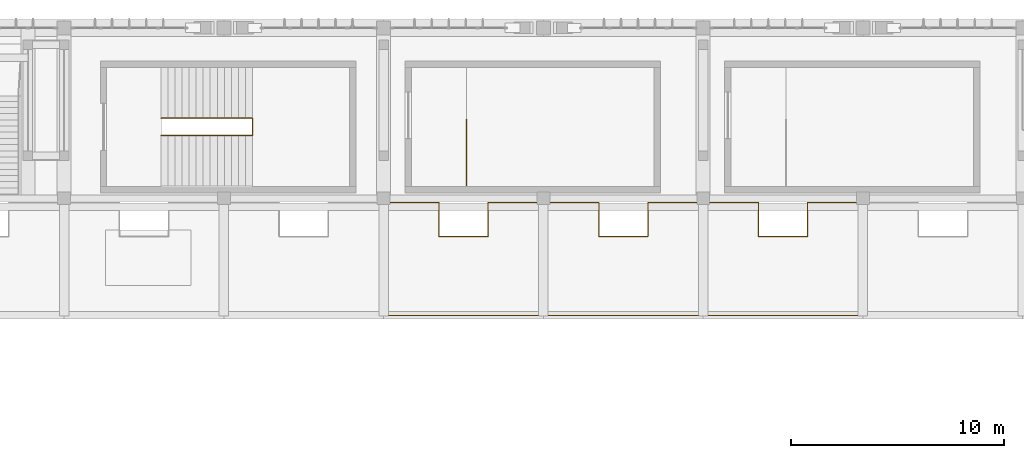
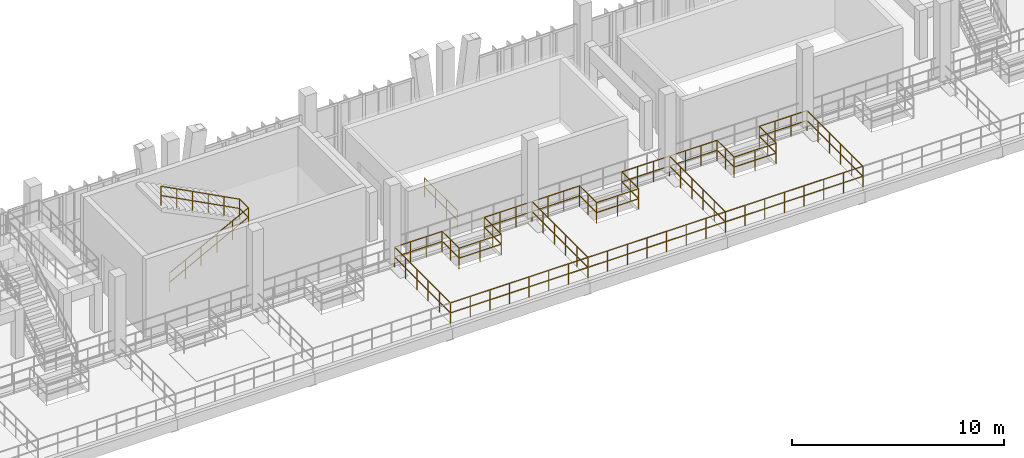
# One storey, part 69 of 81: 5 railings.
"""IFC4 building model written with IfcOpenShell, lengths in metres."""

from ifc_helpers import new_model, si_unit, direction, frame, origin, origin_2d, place, context, subcontext, project, spatial, circle, extrude, material, type_object, element, save


model = new_model("IFC4")

# Units and contexts
model_context = context("Model", 3, precision=1e-05, world=origin(), true_north=direction((0.0, 1.0)))
body_context = subcontext(model_context, "Body", "Model", "MODEL_VIEW")
ifc_project = project(units=[si_unit("LENGTHUNIT", "METRE"), si_unit("AREAUNIT", "SQUARE_METRE"), si_unit("VOLUMEUNIT", "CUBIC_METRE"), si_unit("PLANEANGLEUNIT", "RADIAN"), si_unit("MASSUNIT", "GRAM", prefix="KILO")], contexts=[model_context])

# Site, building, storey
site_placement = place(None, origin())
site = spatial("IfcSite", under=ifc_project, at=site_placement, CompositionType="ELEMENT")
building_placement = place(site_placement, origin())
building = spatial("IfcBuilding", under=site, at=building_placement, Name="Vourika Railside Aquatics Centre", CompositionType="ELEMENT")
storey_placement = place(building_placement, frame((0.0, 0.0, 4.800048828125)))
storey = spatial("IfcBuildingStorey", under=building, at=storey_placement, Name="L01", CompositionType="ELEMENT", Elevation=4.800048828125)

# Railings
ifc_material = material(Name="Duplex stainless steel EN 1.4462", Category="steel")
railing_type_1 = type_object("IfcRailingType", Name="RL-BAL-STD120", PredefinedType="BALUSTRADE", material=ifc_material)
railing_1_placement = place(storey_placement, frame((81.0, 57.800048828125, -0.35009765625)))
element("IfcRailing", 1, at=railing_1_placement, inside=storey, type_object=railing_type_1, Name="Spectator Stand Crowd Barrier (Stand Lower Tier Bay 06)", PredefinedType="BALUSTRADE", context=body_context, shape_type="SweptSolid", body=[
    extrude(circle(Radius=0.02392578125, at=origin_2d()), frame((0.0, 0.0, 1.17578125), z_axis=(0.0, -1.0, 0.0), x_axis=(1.0, 0.0, 0.0)), (0.0, 0.0, 1.0), 5.300048828125),
    extrude(circle(Radius=0.02392578125, at=origin_2d()), frame((0.0, 0.0, 0.60009765625), z_axis=(0.0, -1.0, 0.0), x_axis=(1.0, 0.0, 0.0)), (0.0, 0.0, 1.0), 5.300048828125),
    extrude(circle(Radius=0.02392578125, at=origin_2d()), frame((0.0, -5.300048828125, 1.17578125), z_axis=(-1.0, 0.0, 0.0), x_axis=(0.0, -1.0, 0.0)), (0.0, 0.0, 1.0), 7.5),
    extrude(circle(Radius=0.02392578125, at=origin_2d()), frame((0.0, -5.300048828125, 0.60009765625), z_axis=(-1.0, 0.0, 0.0), x_axis=(0.0, -1.0, 0.0)), (0.0, 0.0, 1.0), 7.5),
    extrude(circle(Radius=0.02392578125, at=origin_2d()), frame((-7.5, -5.300048828125, 1.17578125), z_axis=(0.0, 1.0, 0.0), x_axis=(-1.0, 0.0, 0.0)), (0.0, 0.0, 1.0), 5.300048828125),
    extrude(circle(Radius=0.02392578125, at=origin_2d()), frame((-7.5, -5.300048828125, 0.60009765625), z_axis=(0.0, 1.0, 0.0), x_axis=(-1.0, 0.0, 0.0)), (0.0, 0.0, 1.0), 5.300048828125),
    extrude(circle(Radius=0.02392578125, at=origin_2d()), frame((-7.5, 0.0, 1.17578125), z_axis=(1.0, 0.0, 0.0), x_axis=(0.0, 1.0, 0.0)), (0.0, 0.0, 1.0), 2.60009765625),
    extrude(circle(Radius=0.02392578125, at=origin_2d()), frame((-7.5, 0.0, 0.60009765625), z_axis=(1.0, 0.0, 0.0), x_axis=(0.0, 1.0, 0.0)), (0.0, 0.0, 1.0), 2.60009765625),
    extrude(circle(Radius=0.02392578125, at=origin_2d()), frame((-4.89990234375, 0.0, 1.17578125), z_axis=(0.0, -1.0, 0.0), x_axis=(1.0, 0.0, 0.0)), (0.0, 0.0, 1.0), 1.60009765625),
    extrude(circle(Radius=0.02392578125, at=origin_2d()), frame((-4.89990234375, 0.0, 0.60009765625), z_axis=(0.0, -1.0, 0.0), x_axis=(1.0, 0.0, 0.0)), (0.0, 0.0, 1.0), 1.60009765625),
    extrude(circle(Radius=0.02392578125, at=origin_2d()), frame((-4.89990234375, -1.60009765625, 1.17578125), z_axis=(1.0, 0.0, 0.0), x_axis=(0.0, 1.0, 0.0)), (0.0, 0.0, 1.0), 2.2998046875),
    extrude(circle(Radius=0.02392578125, at=origin_2d()), frame((-4.89990234375, -1.60009765625, 0.60009765625), z_axis=(1.0, 0.0, 0.0), x_axis=(0.0, 1.0, 0.0)), (0.0, 0.0, 1.0), 2.2998046875),
    extrude(circle(Radius=0.02392578125, at=origin_2d()), frame((-2.60009765625, -1.60009765625, 1.17578125), z_axis=(0.0, 1.0, 0.0), x_axis=(-1.0, 0.0, 0.0)), (0.0, 0.0, 1.0), 1.60009765625),
    extrude(circle(Radius=0.02392578125, at=origin_2d()), frame((-2.60009765625, -1.60009765625, 0.60009765625), z_axis=(0.0, 1.0, 0.0), x_axis=(-1.0, 0.0, 0.0)), (0.0, 0.0, 1.0), 1.60009765625),
    extrude(circle(Radius=0.02392578125, at=origin_2d()), frame((-2.60009765625, 0.0, 1.17578125), z_axis=(1.0, 0.0, 0.0), x_axis=(0.0, 1.0, 0.0)), (0.0, 0.0, 1.0), 2.60009765625),
    extrude(circle(Radius=0.02392578125, at=origin_2d()), frame((-2.60009765625, 0.0, 0.60009765625), z_axis=(1.0, 0.0, 0.0), x_axis=(0.0, 1.0, 0.0)), (0.0, 0.0, 1.0), 2.60009765625),
    extrude(circle(Radius=0.02099609375, at=origin_2d()), origin(), (0.0, 0.0, 1.0), 1.15185546875),
    extrude(circle(Radius=0.02099609375, at=origin_2d()), frame((0.0, -1.06005859375, 0.0)), (0.0, 0.0, 1.0), 1.15185546875),
    extrude(circle(Radius=0.02099609375, at=origin_2d()), frame((0.0, -2.1201171875, 0.0)), (0.0, 0.0, 1.0), 1.15185546875),
    extrude(circle(Radius=0.02099609375, at=origin_2d()), frame((0.0, -3.179931640625, 0.0)), (0.0, 0.0, 1.0), 1.15185546875),
    extrude(circle(Radius=0.02099609375, at=origin_2d()), frame((0.0, -4.239990234375, 0.0)), (0.0, 0.0, 1.0), 1.15185546875),
    extrude(circle(Radius=0.02099609375, at=origin_2d()), frame((0.0, -5.300048828125, 0.0)), (0.0, 0.0, 1.0), 1.15185546875),
    extrude(circle(Radius=0.02099609375, at=origin_2d()), frame((-1.071533203125, -5.300048828125, 0.0)), (0.0, 0.0, 1.0), 1.15185546875),
    extrude(circle(Radius=0.02099609375, at=origin_2d()), frame((-2.142822265625, -5.300048828125, 0.0)), (0.0, 0.0, 1.0), 1.15185546875),
    extrude(circle(Radius=0.02099609375, at=origin_2d()), frame((-3.21435546875, -5.300048828125, 0.0)), (0.0, 0.0, 1.0), 1.15185546875),
    extrude(circle(Radius=0.02099609375, at=origin_2d()), frame((-4.28564453125, -5.300048828125, 0.0)), (0.0, 0.0, 1.0), 1.15185546875),
    extrude(circle(Radius=0.02099609375, at=origin_2d()), frame((-5.357177734375, -5.300048828125, 0.0)), (0.0, 0.0, 1.0), 1.15185546875),
    extrude(circle(Radius=0.02099609375, at=origin_2d()), frame((-6.428466796875, -5.300048828125, 0.0)), (0.0, 0.0, 1.0), 1.15185546875),
    extrude(circle(Radius=0.02099609375, at=origin_2d()), frame((-7.5, -5.300048828125, 0.0)), (0.0, 0.0, 1.0), 1.15185546875),
    extrude(circle(Radius=0.02099609375, at=origin_2d()), frame((-7.5, -4.239990234375, 0.0)), (0.0, 0.0, 1.0), 1.15185546875),
    extrude(circle(Radius=0.02099609375, at=origin_2d()), frame((-7.5, -3.179931640625, 0.0)), (0.0, 0.0, 1.0), 1.15185546875),
    extrude(circle(Radius=0.02099609375, at=origin_2d()), frame((-7.5, -2.1201171875, 0.0)), (0.0, 0.0, 1.0), 1.15185546875),
    extrude(circle(Radius=0.02099609375, at=origin_2d()), frame((-7.5, -1.06005859375, 0.0)), (0.0, 0.0, 1.0), 1.15185546875),
    extrude(circle(Radius=0.02099609375, at=origin_2d()), frame((-7.5, 0.0, 0.0)), (0.0, 0.0, 1.0), 1.15185546875),
    extrude(circle(Radius=0.02099609375, at=origin_2d()), frame((-6.63330078125, 0.0, 0.0)), (0.0, 0.0, 1.0), 1.15185546875),
    extrude(circle(Radius=0.02099609375, at=origin_2d()), frame((-5.7666015625, 0.0, 0.0)), (0.0, 0.0, 1.0), 1.15185546875),
    extrude(circle(Radius=0.02099609375, at=origin_2d()), frame((-4.89990234375, 0.0, 0.0)), (0.0, 0.0, 1.0), 1.15185546875),
    extrude(circle(Radius=0.02099609375, at=origin_2d()), frame((-4.89990234375, -0.800048828125, 0.0)), (0.0, 0.0, 1.0), 1.15185546875),
    extrude(circle(Radius=0.02099609375, at=origin_2d()), frame((-4.89990234375, -1.60009765625, 0.0)), (0.0, 0.0, 1.0), 1.15185546875),
    extrude(circle(Radius=0.02099609375, at=origin_2d()), frame((-3.75, -1.60009765625, 0.0)), (0.0, 0.0, 1.0), 1.15185546875),
    extrude(circle(Radius=0.02099609375, at=origin_2d()), frame((-2.60009765625, -1.60009765625, 0.0)), (0.0, 0.0, 1.0), 1.15185546875),
    extrude(circle(Radius=0.02099609375, at=origin_2d()), frame((-2.60009765625, -0.800048828125, 0.0)), (0.0, 0.0, 1.0), 1.15185546875),
    extrude(circle(Radius=0.02099609375, at=origin_2d()), frame((-2.60009765625, 0.0, 0.0)), (0.0, 0.0, 1.0), 1.15185546875),
    extrude(circle(Radius=0.02099609375, at=origin_2d()), frame((-1.7333984375, 0.0, 0.0)), (0.0, 0.0, 1.0), 1.15185546875),
    extrude(circle(Radius=0.02099609375, at=origin_2d()), frame((-0.86669921875, 0.0, 0.0)), (0.0, 0.0, 1.0), 1.15185546875),
])
railing_2_placement = place(storey_placement, frame((88.5, 57.800048828125, -0.35009765625)))
element("IfcRailing", 2, at=railing_2_placement, inside=storey, type_object=railing_type_1, Name="Spectator Stand Crowd Barrier (Stand Lower Tier Bay 07)", PredefinedType="BALUSTRADE", context=body_context, shape_type="SweptSolid", body=[
    extrude(circle(Radius=0.02392578125, at=origin_2d()), frame((0.0, 0.0, 1.17578125), z_axis=(0.0, -1.0, 0.0), x_axis=(1.0, 0.0, 0.0)), (0.0, 0.0, 1.0), 5.300048828125),
    extrude(circle(Radius=0.02392578125, at=origin_2d()), frame((0.0, 0.0, 0.60009765625), z_axis=(0.0, -1.0, 0.0), x_axis=(1.0, 0.0, 0.0)), (0.0, 0.0, 1.0), 5.300048828125),
    extrude(circle(Radius=0.02392578125, at=origin_2d()), frame((0.0, -5.300048828125, 1.17578125), z_axis=(-1.0, 0.0, 0.0), x_axis=(0.0, -1.0, 0.0)), (0.0, 0.0, 1.0), 7.5),
    extrude(circle(Radius=0.02392578125, at=origin_2d()), frame((0.0, -5.300048828125, 0.60009765625), z_axis=(-1.0, 0.0, 0.0), x_axis=(0.0, -1.0, 0.0)), (0.0, 0.0, 1.0), 7.5),
    extrude(circle(Radius=0.02392578125, at=origin_2d()), frame((-7.5, -5.300048828125, 1.17578125), z_axis=(0.0, 1.0, 0.0), x_axis=(-1.0, 0.0, 0.0)), (0.0, 0.0, 1.0), 5.300048828125),
    extrude(circle(Radius=0.02392578125, at=origin_2d()), frame((-7.5, -5.300048828125, 0.60009765625), z_axis=(0.0, 1.0, 0.0), x_axis=(-1.0, 0.0, 0.0)), (0.0, 0.0, 1.0), 5.300048828125),
    extrude(circle(Radius=0.02392578125, at=origin_2d()), frame((-7.5, 0.0, 1.17578125), z_axis=(1.0, 0.0, 0.0), x_axis=(0.0, 1.0, 0.0)), (0.0, 0.0, 1.0), 2.60009765625),
    extrude(circle(Radius=0.02392578125, at=origin_2d()), frame((-7.5, 0.0, 0.60009765625), z_axis=(1.0, 0.0, 0.0), x_axis=(0.0, 1.0, 0.0)), (0.0, 0.0, 1.0), 2.60009765625),
    extrude(circle(Radius=0.02392578125, at=origin_2d()), frame((-4.89990234375, 0.0, 1.17578125), z_axis=(0.0, -1.0, 0.0), x_axis=(1.0, 0.0, 0.0)), (0.0, 0.0, 1.0), 1.60009765625),
    extrude(circle(Radius=0.02392578125, at=origin_2d()), frame((-4.89990234375, 0.0, 0.60009765625), z_axis=(0.0, -1.0, 0.0), x_axis=(1.0, 0.0, 0.0)), (0.0, 0.0, 1.0), 1.60009765625),
    extrude(circle(Radius=0.02392578125, at=origin_2d()), frame((-4.89990234375, -1.60009765625, 1.17578125), z_axis=(1.0, 0.0, 0.0), x_axis=(0.0, 1.0, 0.0)), (0.0, 0.0, 1.0), 2.2998046875),
    extrude(circle(Radius=0.02392578125, at=origin_2d()), frame((-4.89990234375, -1.60009765625, 0.60009765625), z_axis=(1.0, 0.0, 0.0), x_axis=(0.0, 1.0, 0.0)), (0.0, 0.0, 1.0), 2.2998046875),
    extrude(circle(Radius=0.02392578125, at=origin_2d()), frame((-2.60009765625, -1.60009765625, 1.17578125), z_axis=(0.0, 1.0, 0.0), x_axis=(-1.0, 0.0, 0.0)), (0.0, 0.0, 1.0), 1.60009765625),
    extrude(circle(Radius=0.02392578125, at=origin_2d()), frame((-2.60009765625, -1.60009765625, 0.60009765625), z_axis=(0.0, 1.0, 0.0), x_axis=(-1.0, 0.0, 0.0)), (0.0, 0.0, 1.0), 1.60009765625),
    extrude(circle(Radius=0.02392578125, at=origin_2d()), frame((-2.60009765625, 0.0, 1.17578125), z_axis=(1.0, 0.0, 0.0), x_axis=(0.0, 1.0, 0.0)), (0.0, 0.0, 1.0), 2.60009765625),
    extrude(circle(Radius=0.02392578125, at=origin_2d()), frame((-2.60009765625, 0.0, 0.60009765625), z_axis=(1.0, 0.0, 0.0), x_axis=(0.0, 1.0, 0.0)), (0.0, 0.0, 1.0), 2.60009765625),
    extrude(circle(Radius=0.02099609375, at=origin_2d()), origin(), (0.0, 0.0, 1.0), 1.15185546875),
    extrude(circle(Radius=0.02099609375, at=origin_2d()), frame((0.0, -1.06005859375, 0.0)), (0.0, 0.0, 1.0), 1.15185546875),
    extrude(circle(Radius=0.02099609375, at=origin_2d()), frame((0.0, -2.1201171875, 0.0)), (0.0, 0.0, 1.0), 1.15185546875),
    extrude(circle(Radius=0.02099609375, at=origin_2d()), frame((0.0, -3.179931640625, 0.0)), (0.0, 0.0, 1.0), 1.15185546875),
    extrude(circle(Radius=0.02099609375, at=origin_2d()), frame((0.0, -4.239990234375, 0.0)), (0.0, 0.0, 1.0), 1.15185546875),
    extrude(circle(Radius=0.02099609375, at=origin_2d()), frame((0.0, -5.300048828125, 0.0)), (0.0, 0.0, 1.0), 1.15185546875),
    extrude(circle(Radius=0.02099609375, at=origin_2d()), frame((-1.071533203125, -5.300048828125, 0.0)), (0.0, 0.0, 1.0), 1.15185546875),
    extrude(circle(Radius=0.02099609375, at=origin_2d()), frame((-2.142822265625, -5.300048828125, 0.0)), (0.0, 0.0, 1.0), 1.15185546875),
    extrude(circle(Radius=0.02099609375, at=origin_2d()), frame((-3.21435546875, -5.300048828125, 0.0)), (0.0, 0.0, 1.0), 1.15185546875),
    extrude(circle(Radius=0.02099609375, at=origin_2d()), frame((-4.28564453125, -5.300048828125, 0.0)), (0.0, 0.0, 1.0), 1.15185546875),
    extrude(circle(Radius=0.02099609375, at=origin_2d()), frame((-5.357177734375, -5.300048828125, 0.0)), (0.0, 0.0, 1.0), 1.15185546875),
    extrude(circle(Radius=0.02099609375, at=origin_2d()), frame((-6.428466796875, -5.300048828125, 0.0)), (0.0, 0.0, 1.0), 1.15185546875),
    extrude(circle(Radius=0.02099609375, at=origin_2d()), frame((-7.5, -5.300048828125, 0.0)), (0.0, 0.0, 1.0), 1.15185546875),
    extrude(circle(Radius=0.02099609375, at=origin_2d()), frame((-7.5, -4.239990234375, 0.0)), (0.0, 0.0, 1.0), 1.15185546875),
    extrude(circle(Radius=0.02099609375, at=origin_2d()), frame((-7.5, -3.179931640625, 0.0)), (0.0, 0.0, 1.0), 1.15185546875),
    extrude(circle(Radius=0.02099609375, at=origin_2d()), frame((-7.5, -2.1201171875, 0.0)), (0.0, 0.0, 1.0), 1.15185546875),
    extrude(circle(Radius=0.02099609375, at=origin_2d()), frame((-7.5, -1.06005859375, 0.0)), (0.0, 0.0, 1.0), 1.15185546875),
    extrude(circle(Radius=0.02099609375, at=origin_2d()), frame((-7.5, 0.0, 0.0)), (0.0, 0.0, 1.0), 1.15185546875),
    extrude(circle(Radius=0.02099609375, at=origin_2d()), frame((-6.63330078125, 0.0, 0.0)), (0.0, 0.0, 1.0), 1.15185546875),
    extrude(circle(Radius=0.02099609375, at=origin_2d()), frame((-5.7666015625, 0.0, 0.0)), (0.0, 0.0, 1.0), 1.15185546875),
    extrude(circle(Radius=0.02099609375, at=origin_2d()), frame((-4.89990234375, 0.0, 0.0)), (0.0, 0.0, 1.0), 1.15185546875),
    extrude(circle(Radius=0.02099609375, at=origin_2d()), frame((-4.89990234375, -0.800048828125, 0.0)), (0.0, 0.0, 1.0), 1.15185546875),
    extrude(circle(Radius=0.02099609375, at=origin_2d()), frame((-4.89990234375, -1.60009765625, 0.0)), (0.0, 0.0, 1.0), 1.15185546875),
    extrude(circle(Radius=0.02099609375, at=origin_2d()), frame((-3.75, -1.60009765625, 0.0)), (0.0, 0.0, 1.0), 1.15185546875),
    extrude(circle(Radius=0.02099609375, at=origin_2d()), frame((-2.60009765625, -1.60009765625, 0.0)), (0.0, 0.0, 1.0), 1.15185546875),
    extrude(circle(Radius=0.02099609375, at=origin_2d()), frame((-2.60009765625, -0.800048828125, 0.0)), (0.0, 0.0, 1.0), 1.15185546875),
    extrude(circle(Radius=0.02099609375, at=origin_2d()), frame((-2.60009765625, 0.0, 0.0)), (0.0, 0.0, 1.0), 1.15185546875),
    extrude(circle(Radius=0.02099609375, at=origin_2d()), frame((-1.7333984375, 0.0, 0.0)), (0.0, 0.0, 1.0), 1.15185546875),
    extrude(circle(Radius=0.02099609375, at=origin_2d()), frame((-0.86669921875, 0.0, 0.0)), (0.0, 0.0, 1.0), 1.15185546875),
])
railing_3_placement = place(storey_placement, frame((96.0, 57.800048828125, -0.35009765625)))
element("IfcRailing", 3, at=railing_3_placement, inside=storey, type_object=railing_type_1, Name="Spectator Stand Crowd Barrier (Stand Lower Tier Bay 08)", PredefinedType="BALUSTRADE", context=body_context, shape_type="SweptSolid", body=[
    extrude(circle(Radius=0.02392578125, at=origin_2d()), frame((0.0, 0.0, 1.17578125), z_axis=(0.0, -1.0, 0.0), x_axis=(1.0, 0.0, 0.0)), (0.0, 0.0, 1.0), 5.300048828125),
    extrude(circle(Radius=0.02392578125, at=origin_2d()), frame((0.0, 0.0, 0.60009765625), z_axis=(0.0, -1.0, 0.0), x_axis=(1.0, 0.0, 0.0)), (0.0, 0.0, 1.0), 5.300048828125),
    extrude(circle(Radius=0.02392578125, at=origin_2d()), frame((0.0, -5.300048828125, 1.17578125), z_axis=(-1.0, 0.0, 0.0), x_axis=(0.0, -1.0, 0.0)), (0.0, 0.0, 1.0), 7.5),
    extrude(circle(Radius=0.02392578125, at=origin_2d()), frame((0.0, -5.300048828125, 0.60009765625), z_axis=(-1.0, 0.0, 0.0), x_axis=(0.0, -1.0, 0.0)), (0.0, 0.0, 1.0), 7.5),
    extrude(circle(Radius=0.02392578125, at=origin_2d()), frame((-7.5, -5.300048828125, 1.17578125), z_axis=(0.0, 1.0, 0.0), x_axis=(-1.0, 0.0, 0.0)), (0.0, 0.0, 1.0), 5.300048828125),
    extrude(circle(Radius=0.02392578125, at=origin_2d()), frame((-7.5, -5.300048828125, 0.60009765625), z_axis=(0.0, 1.0, 0.0), x_axis=(-1.0, 0.0, 0.0)), (0.0, 0.0, 1.0), 5.300048828125),
    extrude(circle(Radius=0.02392578125, at=origin_2d()), frame((-7.5, 0.0, 1.17578125), z_axis=(1.0, 0.0, 0.0), x_axis=(0.0, 1.0, 0.0)), (0.0, 0.0, 1.0), 2.60009765625),
    extrude(circle(Radius=0.02392578125, at=origin_2d()), frame((-7.5, 0.0, 0.60009765625), z_axis=(1.0, 0.0, 0.0), x_axis=(0.0, 1.0, 0.0)), (0.0, 0.0, 1.0), 2.60009765625),
    extrude(circle(Radius=0.02392578125, at=origin_2d()), frame((-4.89990234375, 0.0, 1.17578125), z_axis=(0.0, -1.0, 0.0), x_axis=(1.0, 0.0, 0.0)), (0.0, 0.0, 1.0), 1.60009765625),
    extrude(circle(Radius=0.02392578125, at=origin_2d()), frame((-4.89990234375, 0.0, 0.60009765625), z_axis=(0.0, -1.0, 0.0), x_axis=(1.0, 0.0, 0.0)), (0.0, 0.0, 1.0), 1.60009765625),
    extrude(circle(Radius=0.02392578125, at=origin_2d()), frame((-4.89990234375, -1.60009765625, 1.17578125), z_axis=(1.0, 0.0, 0.0), x_axis=(0.0, 1.0, 0.0)), (0.0, 0.0, 1.0), 2.2998046875),
    extrude(circle(Radius=0.02392578125, at=origin_2d()), frame((-4.89990234375, -1.60009765625, 0.60009765625), z_axis=(1.0, 0.0, 0.0), x_axis=(0.0, 1.0, 0.0)), (0.0, 0.0, 1.0), 2.2998046875),
    extrude(circle(Radius=0.02392578125, at=origin_2d()), frame((-2.60009765625, -1.60009765625, 1.17578125), z_axis=(0.0, 1.0, 0.0), x_axis=(-1.0, 0.0, 0.0)), (0.0, 0.0, 1.0), 1.60009765625),
    extrude(circle(Radius=0.02392578125, at=origin_2d()), frame((-2.60009765625, -1.60009765625, 0.60009765625), z_axis=(0.0, 1.0, 0.0), x_axis=(-1.0, 0.0, 0.0)), (0.0, 0.0, 1.0), 1.60009765625),
    extrude(circle(Radius=0.02392578125, at=origin_2d()), frame((-2.60009765625, 0.0, 1.17578125), z_axis=(1.0, 0.0, 0.0), x_axis=(0.0, 1.0, 0.0)), (0.0, 0.0, 1.0), 2.60009765625),
    extrude(circle(Radius=0.02392578125, at=origin_2d()), frame((-2.60009765625, 0.0, 0.60009765625), z_axis=(1.0, 0.0, 0.0), x_axis=(0.0, 1.0, 0.0)), (0.0, 0.0, 1.0), 2.60009765625),
    extrude(circle(Radius=0.02099609375, at=origin_2d()), origin(), (0.0, 0.0, 1.0), 1.15185546875),
    extrude(circle(Radius=0.02099609375, at=origin_2d()), frame((0.0, -1.06005859375, 0.0)), (0.0, 0.0, 1.0), 1.15185546875),
    extrude(circle(Radius=0.02099609375, at=origin_2d()), frame((0.0, -2.1201171875, 0.0)), (0.0, 0.0, 1.0), 1.15185546875),
    extrude(circle(Radius=0.02099609375, at=origin_2d()), frame((0.0, -3.179931640625, 0.0)), (0.0, 0.0, 1.0), 1.15185546875),
    extrude(circle(Radius=0.02099609375, at=origin_2d()), frame((0.0, -4.239990234375, 0.0)), (0.0, 0.0, 1.0), 1.15185546875),
    extrude(circle(Radius=0.02099609375, at=origin_2d()), frame((0.0, -5.300048828125, 0.0)), (0.0, 0.0, 1.0), 1.15185546875),
    extrude(circle(Radius=0.02099609375, at=origin_2d()), frame((-1.071533203125, -5.300048828125, 0.0)), (0.0, 0.0, 1.0), 1.15185546875),
    extrude(circle(Radius=0.02099609375, at=origin_2d()), frame((-2.142822265625, -5.300048828125, 0.0)), (0.0, 0.0, 1.0), 1.15185546875),
    extrude(circle(Radius=0.02099609375, at=origin_2d()), frame((-3.21435546875, -5.300048828125, 0.0)), (0.0, 0.0, 1.0), 1.15185546875),
    extrude(circle(Radius=0.02099609375, at=origin_2d()), frame((-4.28564453125, -5.300048828125, 0.0)), (0.0, 0.0, 1.0), 1.15185546875),
    extrude(circle(Radius=0.02099609375, at=origin_2d()), frame((-5.357177734375, -5.300048828125, 0.0)), (0.0, 0.0, 1.0), 1.15185546875),
    extrude(circle(Radius=0.02099609375, at=origin_2d()), frame((-6.428466796875, -5.300048828125, 0.0)), (0.0, 0.0, 1.0), 1.15185546875),
    extrude(circle(Radius=0.02099609375, at=origin_2d()), frame((-7.5, -5.300048828125, 0.0)), (0.0, 0.0, 1.0), 1.15185546875),
    extrude(circle(Radius=0.02099609375, at=origin_2d()), frame((-7.5, -4.239990234375, 0.0)), (0.0, 0.0, 1.0), 1.15185546875),
    extrude(circle(Radius=0.02099609375, at=origin_2d()), frame((-7.5, -3.179931640625, 0.0)), (0.0, 0.0, 1.0), 1.15185546875),
    extrude(circle(Radius=0.02099609375, at=origin_2d()), frame((-7.5, -2.1201171875, 0.0)), (0.0, 0.0, 1.0), 1.15185546875),
    extrude(circle(Radius=0.02099609375, at=origin_2d()), frame((-7.5, -1.06005859375, 0.0)), (0.0, 0.0, 1.0), 1.15185546875),
    extrude(circle(Radius=0.02099609375, at=origin_2d()), frame((-7.5, 0.0, 0.0)), (0.0, 0.0, 1.0), 1.15185546875),
    extrude(circle(Radius=0.02099609375, at=origin_2d()), frame((-6.63330078125, 0.0, 0.0)), (0.0, 0.0, 1.0), 1.15185546875),
    extrude(circle(Radius=0.02099609375, at=origin_2d()), frame((-5.7666015625, 0.0, 0.0)), (0.0, 0.0, 1.0), 1.15185546875),
    extrude(circle(Radius=0.02099609375, at=origin_2d()), frame((-4.89990234375, 0.0, 0.0)), (0.0, 0.0, 1.0), 1.15185546875),
    extrude(circle(Radius=0.02099609375, at=origin_2d()), frame((-4.89990234375, -0.800048828125, 0.0)), (0.0, 0.0, 1.0), 1.15185546875),
    extrude(circle(Radius=0.02099609375, at=origin_2d()), frame((-4.89990234375, -1.60009765625, 0.0)), (0.0, 0.0, 1.0), 1.15185546875),
    extrude(circle(Radius=0.02099609375, at=origin_2d()), frame((-3.75, -1.60009765625, 0.0)), (0.0, 0.0, 1.0), 1.15185546875),
    extrude(circle(Radius=0.02099609375, at=origin_2d()), frame((-2.60009765625, -1.60009765625, 0.0)), (0.0, 0.0, 1.0), 1.15185546875),
    extrude(circle(Radius=0.02099609375, at=origin_2d()), frame((-2.60009765625, -0.800048828125, 0.0)), (0.0, 0.0, 1.0), 1.15185546875),
    extrude(circle(Radius=0.02099609375, at=origin_2d()), frame((-2.60009765625, 0.0, 0.0)), (0.0, 0.0, 1.0), 1.15185546875),
    extrude(circle(Radius=0.02099609375, at=origin_2d()), frame((-1.7333984375, 0.0, 0.0)), (0.0, 0.0, 1.0), 1.15185546875),
    extrude(circle(Radius=0.02099609375, at=origin_2d()), frame((-0.86669921875, 0.0, 0.0)), (0.0, 0.0, 1.0), 1.15185546875),
])
railing_type_2 = type_object("IfcRailingType", Name="RL-STAIR-1120", PredefinedType="BALUSTRADE", material=ifc_material)
railing_4_placement = place(storey_placement, frame((63.050048828125, 60.93994140625, 0.0)))
element("IfcRailing", 4, at=railing_4_placement, inside=storey, type_object=railing_type_2, Name="Grandstand Vomitory Exit Stair ST08 Center Well Guard (L01)", PredefinedType="BALUSTRADE", context=body_context, shape_type="SweptSolid", body=[
    extrude(circle(Radius=0.02392578125, at=origin_2d()), frame((0.0, 0.0, 1.09619140625), z_axis=(0.885590726096, 0.0, 0.464466431351), x_axis=(0.0, 1.0, 0.0)), (0.0, 0.0, 1.0), 4.84423828125),
    extrude(circle(Radius=0.02392578125, at=origin_2d()), frame((0.0, 0.0, 0.56005859375), z_axis=(0.885590726096, 0.0, 0.464466431351), x_axis=(0.0, 1.0, 0.0)), (0.0, 0.0, 1.0), 4.84423828125),
    extrude(circle(Radius=0.02392578125, at=origin_2d()), frame((4.2900390625, 0.0, 3.34619140625), z_axis=(0.0, 1.0, 0.0), x_axis=(-1.0, 0.0, 0.0)), (0.0, 0.0, 1.0), 0.820068359375),
    extrude(circle(Radius=0.02392578125, at=origin_2d()), frame((4.2900390625, 0.0, 2.81005859375), z_axis=(0.0, 1.0, 0.0), x_axis=(-1.0, 0.0, 0.0)), (0.0, 0.0, 1.0), 0.820068359375),
    extrude(circle(Radius=0.02392578125, at=origin_2d()), frame((4.2900390625, 0.820068359375, 3.34619140625), z_axis=(-0.885590726096, 0.0, 0.464466431351), x_axis=(0.0, -1.0, 0.0)), (0.0, 0.0, 1.0), 4.84423828125),
    extrude(circle(Radius=0.02392578125, at=origin_2d()), frame((4.2900390625, 0.820068359375, 2.81005859375), z_axis=(-0.885590726096, 0.0, 0.464466431351), x_axis=(0.0, -1.0, 0.0)), (0.0, 0.0, 1.0), 4.84423828125),
    extrude(circle(Radius=0.02099609375, at=origin_2d()), origin(), (0.0, 0.0, 1.0), 1.072021484375),
    extrude(circle(Radius=0.02099609375, at=origin_2d()), frame((0.85791015625, 0.0, 0.449951171875)), (0.0, 0.0, 1.0), 1.072021484375),
    extrude(circle(Radius=0.02099609375, at=origin_2d()), frame((1.716064453125, 0.0, 0.89990234375)), (0.0, 0.0, 1.0), 1.072021484375),
    extrude(circle(Radius=0.02099609375, at=origin_2d()), frame((2.573974609375, 0.0, 1.35009765625)), (0.0, 0.0, 1.0), 1.072021484375),
    extrude(circle(Radius=0.02099609375, at=origin_2d()), frame((3.43212890625, 0.0, 1.800048828125)), (0.0, 0.0, 1.0), 1.072021484375),
    extrude(circle(Radius=0.02099609375, at=origin_2d()), frame((4.2900390625, 0.0, 2.25)), (0.0, 0.0, 1.0), 1.072021484375),
    extrude(circle(Radius=0.02099609375, at=origin_2d()), frame((4.2900390625, 0.820068359375, 2.25)), (0.0, 0.0, 1.0), 1.072021484375),
    extrude(circle(Radius=0.02099609375, at=origin_2d()), frame((3.43212890625, 0.820068359375, 2.699951171875)), (0.0, 0.0, 1.0), 1.072021484375),
    extrude(circle(Radius=0.02099609375, at=origin_2d()), frame((2.573974609375, 0.820068359375, 3.14990234375)), (0.0, 0.0, 1.0), 1.072021484375),
    extrude(circle(Radius=0.02099609375, at=origin_2d()), frame((1.716064453125, 0.820068359375, 3.60009765625)), (0.0, 0.0, 1.0), 1.072021484375),
    extrude(circle(Radius=0.02099609375, at=origin_2d()), frame((0.85791015625, 0.820068359375, 4.050048828125)), (0.0, 0.0, 1.0), 1.072021484375),
    extrude(circle(Radius=0.02099609375, at=origin_2d()), frame((0.0, 0.820068359375, 4.5)), (0.0, 0.0, 1.0), 1.072021484375),
])
railing_5_placement = place(storey_placement, frame((77.389892578125, 58.60009765625, 0.0)))
element("IfcRailing", 5, at=railing_5_placement, inside=storey, type_object=railing_type_2, Name="Grandstand Vomitory Exit Stair ST12 L01 Well Edge Guard", PredefinedType="BALUSTRADE", context=body_context, shape_type="SweptSolid", body=[
    extrude(circle(Radius=0.02392578125, at=origin_2d()), frame((0.0, 0.0, 1.09619140625), z_axis=(0.0, 1.0, 0.0), x_axis=(-1.0, 0.0, 0.0)), (0.0, 0.0, 1.0), 3.099853515625),
    extrude(circle(Radius=0.02392578125, at=origin_2d()), frame((0.0, 0.0, 0.56005859375), z_axis=(0.0, 1.0, 0.0), x_axis=(-1.0, 0.0, 0.0)), (0.0, 0.0, 1.0), 3.099853515625),
    extrude(circle(Radius=0.02099609375, at=origin_2d()), origin(), (0.0, 0.0, 1.0), 1.072021484375),
    extrude(circle(Radius=0.02099609375, at=origin_2d()), frame((0.0, 1.033203125, 0.0)), (0.0, 0.0, 1.0), 1.072021484375),
    extrude(circle(Radius=0.02099609375, at=origin_2d()), frame((0.0, 2.066650390625, 0.0)), (0.0, 0.0, 1.0), 1.072021484375),
    extrude(circle(Radius=0.02099609375, at=origin_2d()), frame((0.0, 3.099853515625, 0.0)), (0.0, 0.0, 1.0), 1.072021484375),
])

save(model, "model.ifc")
